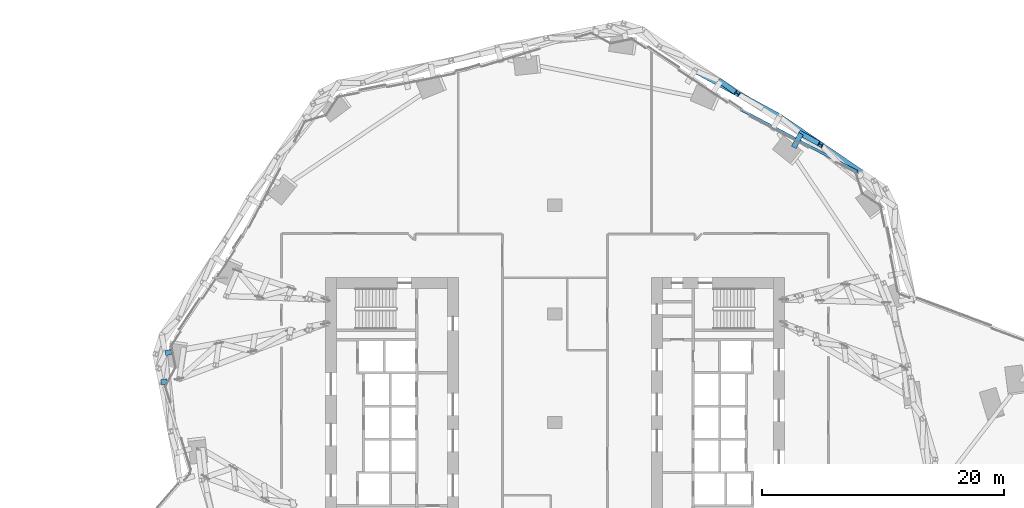
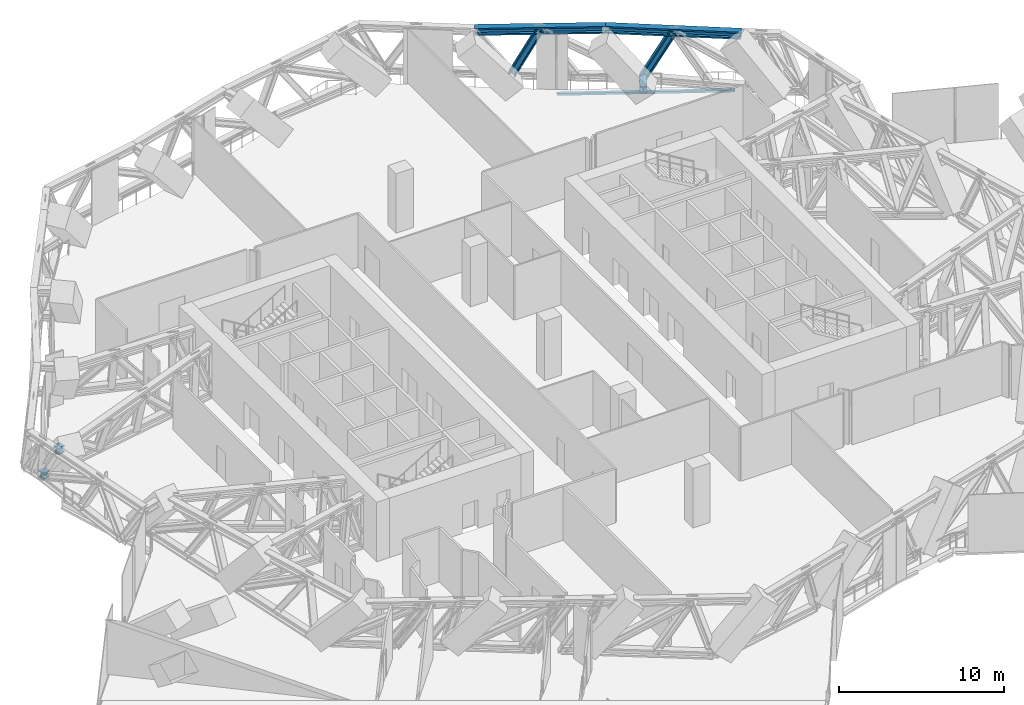
# One storey, part 16 of 34: 8 members, 1 element without a shape of its own.
"""IFC4 building model written with IfcOpenShell, lengths in metres."""

from ifc_helpers import new_model, si_unit, direction, frame, origin, origin_2d, place, context, subcontext, project, spatial, rectangle, i_section, extrude, material, material_profile, profile_set, type_object, element, aggregate, save


model = new_model("IFC4")

# Units and contexts
model_context = context("Model", 3, precision=1e-05, world=origin(), true_north=direction((0.0, 1.0)))
body_context = subcontext(model_context, "Body", "Model", "MODEL_VIEW")
ifc_project = project(units=[si_unit("LENGTHUNIT", "METRE"), si_unit("AREAUNIT", "SQUARE_METRE"), si_unit("VOLUMEUNIT", "CUBIC_METRE"), si_unit("PLANEANGLEUNIT", "RADIAN"), si_unit("MASSUNIT", "GRAM", prefix="KILO")], contexts=[model_context])

# Site, building, storey
site_placement = place(None, origin())
site = spatial("IfcSite", under=ifc_project, at=site_placement, CompositionType="ELEMENT")
building_placement = place(site_placement, origin())
building = spatial("IfcBuilding", under=site, at=building_placement, Name="Orlundy Tower", CompositionType="ELEMENT")
storey_placement = place(building_placement, frame((0.0, 0.0, 76.300048828125)))
storey = spatial("IfcBuildingStorey", under=building, at=storey_placement, Name="L18", CompositionType="ELEMENT", Elevation=76.300048828125)

# Members
ifc_material_1 = material(Name="Steel ASTM A992 Gr 50", Category="steel")
ifc_material_profile_1 = material_profile(ifc_material_1, i_section(OverallWidth=0.4423828125, OverallDepth=0.531494140625, WebThickness=0.06591796875, FlangeThickness=0.105712890625, at=origin_2d()), Name="W14X605")
ifc_profile_set_1 = profile_set([ifc_material_profile_1], Name="Steel ASTM A992 Gr 50")
member_type_1 = type_object("IfcMemberType", Name="BELT TRUSS chord W14X605", PredefinedType="CHORD", material=ifc_profile_set_1)
member_1_placement = place(storey_placement, frame((25.412109375, 20.696533203125, 3.715087890625), z_axis=(-0.826015378824, 0.563647579562, 0.0), x_axis=(-0.563647579562, -0.826015378824, 0.0)))
element("IfcMember", 1, at=member_1_placement, inside=storey, type_object=member_type_1, Name="Belt truss top chord BT-15A", PredefinedType="CHORD", context=body_context, shape_type="SweptSolid", body=[
    extrude(i_section(OverallWidth=0.4423828125, OverallDepth=0.531494140625, WebThickness=0.06591796875, FlangeThickness=0.105712890625, at=origin_2d()), origin(), (0.0, 0.0, 1.0), 8.26318359375),
])
member_2_placement = place(storey_placement, frame((18.586669921875, 25.35400390625, 3.715087890625), z_axis=(-0.878977903788, 0.476862500782, 0.0), x_axis=(-0.476862500782, -0.878977903788, 0.0)))
element("IfcMember", 2, at=member_2_placement, inside=storey, type_object=member_type_1, Name="Belt truss top chord BT-16A", PredefinedType="CHORD", context=body_context, shape_type="SweptSolid", body=[
    extrude(i_section(OverallWidth=0.4423828125, OverallDepth=0.531494140625, WebThickness=0.06591796875, FlangeThickness=0.105712890625, at=origin_2d()), origin(), (0.0, 0.0, 1.0), 7.940185546875),
])
ifc_material_2 = material(Name="Steel ASTM A992 Gr 50", Category="steel")
ifc_material_profile_2 = material_profile(ifc_material_2, i_section(OverallWidth=0.42431640625, OverallDepth=0.47412109375, WebThickness=0.0478515625, FlangeThickness=0.0771484375, at=origin_2d()), Name="W14X426")
ifc_profile_set_2 = profile_set([ifc_material_profile_2], Name="Steel ASTM A992 Gr 50")
member_type_2 = type_object("IfcMemberType", Name="BELT TRUSS diagonal W14X426", PredefinedType="BRACE", material=ifc_profile_set_2)
member_3_placement = place(storey_placement, frame((21.99951171875, 23.025146484375, 3.715087890625), z_axis=(-0.417095082594, 0.230384652582, -0.879178368666), x_axis=(-0.48350079732, -0.875343920406, 0.0)))
element("IfcMember", 3, at=member_3_placement, inside=storey, type_object=member_type_2, Name="Belt truss diagonal BT-15A-1", PredefinedType="BRACE", context=body_context, shape_type="SweptSolid", body=[
    extrude(i_section(OverallWidth=0.42431640625, OverallDepth=0.47412109375, WebThickness=0.0478515625, FlangeThickness=0.0771484375, at=origin_2d()), origin(), (0.0, 0.0, 1.0), 3.90185546875),
])
member_4_placement = place(storey_placement, frame((15.09716796875, 27.247314453125, 3.715087890625), z_axis=(-0.360955134114, 0.261111057299, -0.895283422673), x_axis=(-0.586111795865, -0.81023019121, 0.0)))
element("IfcMember", 4, at=member_4_placement, inside=storey, type_object=member_type_2, Name="Belt truss diagonal BT-16A-1", PredefinedType="BRACE", context=body_context, shape_type="SweptSolid", body=[
    extrude(i_section(OverallWidth=0.42431640625, OverallDepth=0.47412109375, WebThickness=0.0478515625, FlangeThickness=0.0771484375, at=origin_2d()), origin(), (0.0, 0.0, 1.0), 3.83154296875),
])
ifc_material_3 = material(Name="Steel ASTM A992 Gr 50", Category="steel")
ifc_material_profile_3 = material_profile(ifc_material_3, i_section(OverallWidth=0.43212890625, OverallDepth=0.497802734375, WebThickness=0.0556640625, FlangeThickness=0.0888671875, at=origin_2d()), Name="W14X500")
ifc_profile_set_3 = profile_set([ifc_material_profile_3], Name="Steel ASTM A992 Gr 50")
member_type_3 = type_object("IfcMemberType", Name="BELT TRUSS strut W14X500", PredefinedType="STRUT", material=ifc_profile_set_3)
member_5_placement = place(storey_placement, frame((19.76708984375, 22.785888671875, 0.28466796875), z_axis=(0.469349092965, 0.883012700324, 0.0), x_axis=(-0.883012700324, 0.469349092965, 0.0)))
element("IfcMember", 5, at=member_5_placement, inside=storey, type_object=member_type_3, Name="Belt truss bracket C-H24", PredefinedType="STRUT", context=body_context, shape_type="SweptSolid", body=[
    extrude(i_section(OverallWidth=0.43212890625, OverallDepth=0.497802734375, WebThickness=0.0556640625, FlangeThickness=0.0888671875, at=origin_2d()), origin(), (0.0, 0.0, 1.0), 1.2890625),
])
for number, where, z_axis, x_axis, name in (
    (6, (-31.7470703125, 5.86181640625, 0.28466796875), (-0.980543918857, -0.196299829834, 0.0), (0.196299829834, -0.980543918857, 0.0), "Belt truss bracket C-H16"),
    (7, (-32.1025390625, 3.434814453125, 3.715087890625), (-0.980451888322, -0.196758976127, 0.0), (0.196758976127, -0.980451888322, 0.0), "Belt truss bracket C-H16"),
):
    element("IfcMember", number, at=place(storey_placement, frame(where, z_axis=z_axis, x_axis=x_axis)), inside=storey, type_object=member_type_3, Name=name, PredefinedType="STRUT", context=body_context, shape_type="SweptSolid", body=[
        extrude(i_section(OverallWidth=0.43212890625, OverallDepth=0.497802734375, WebThickness=0.0556640625, FlangeThickness=0.0888671875, at=origin_2d()), origin(), (0.0, 0.0, 1.0), 0.51123046875),
    ])

# Curtain wall, member
ifc_material_4 = material(Name="Aluminium bronze anodised", Category="aluminium")
curtain_wall_type = type_object("IfcCurtainWallType", Name="CW4 wall", PredefinedType="NOTDEFINED", material=ifc_material_4)
curtain_wall_placement = place(storey_placement, origin())
curtain_wall = element("IfcCurtainWall", 8, at=curtain_wall_placement, inside=storey, type_object=curtain_wall_type, Name="CW4 run 011", PredefinedType="NOTDEFINED")
ifc_material_5 = material(Name="Aluminium bronze anodised", Category="aluminium")
ifc_material_profile_4 = material_profile(ifc_material_5, rectangle(XDim=0.199951171875, YDim=0.14990234375, at=origin_2d()), Name="CW4 transom 200x150")
ifc_profile_set_4 = profile_set([ifc_material_profile_4], Name="Aluminium bronze anodised")
member_type_4 = type_object("IfcMemberType", Name="CW4 transom 200x150", PredefinedType="USERDEFINED", material=ifc_profile_set_4)
member_6_placement = place(storey_placement, frame((15.474853515625, 25.86181640625, -0.375), z_axis=(0.882980806118, -0.469409092399, 0.0), x_axis=(0.469409092399, 0.882980806118, 0.0)))
member_6 = element("IfcMember", 9, at=member_6_placement, type_object=member_type_4, Name="CW4 transom", ObjectType="TRANSOM", PredefinedType="USERDEFINED", context=body_context, shape_type="SweptSolid", body=[
    extrude(rectangle(XDim=0.199951171875, YDim=0.14990234375, at=origin_2d()), origin(), (0.0, 0.0, 1.0), 10.80419921875),
])
aggregate(curtain_wall, [member_6])

save(model, "model.ifc")
